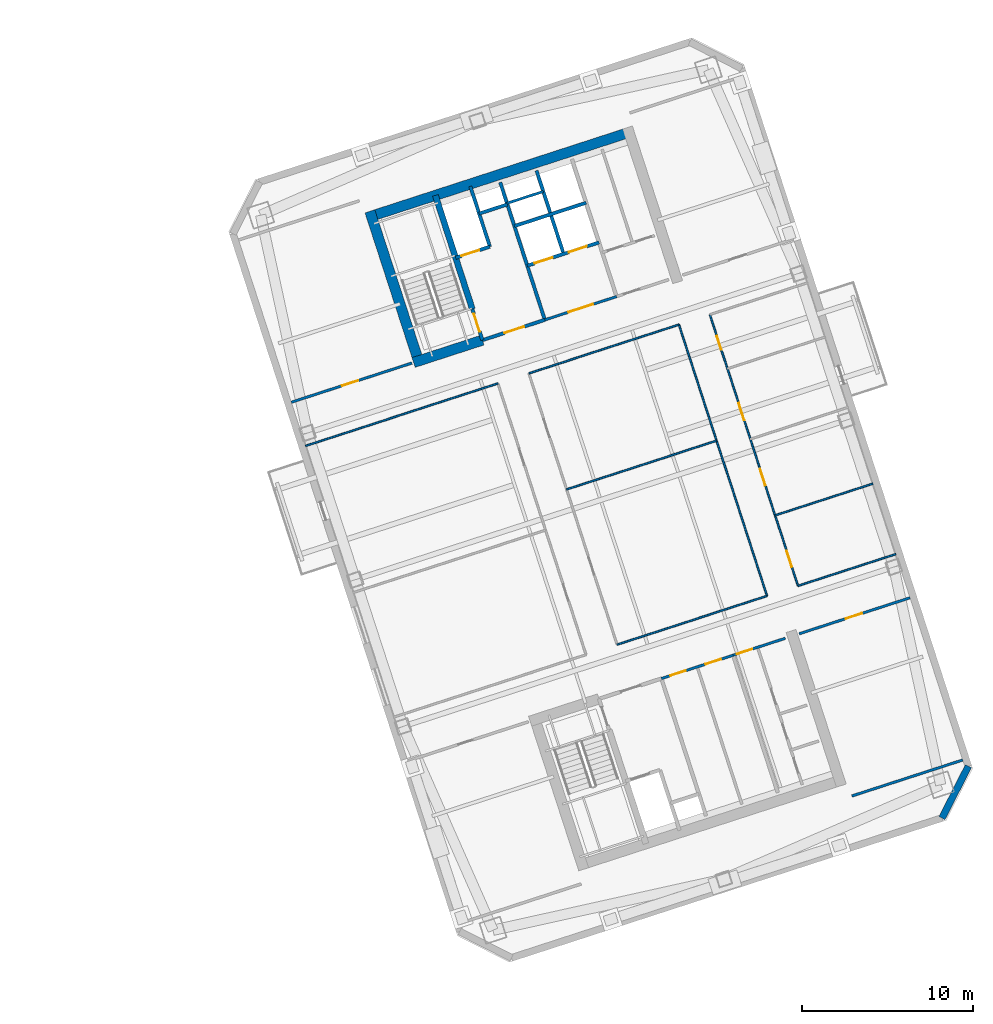
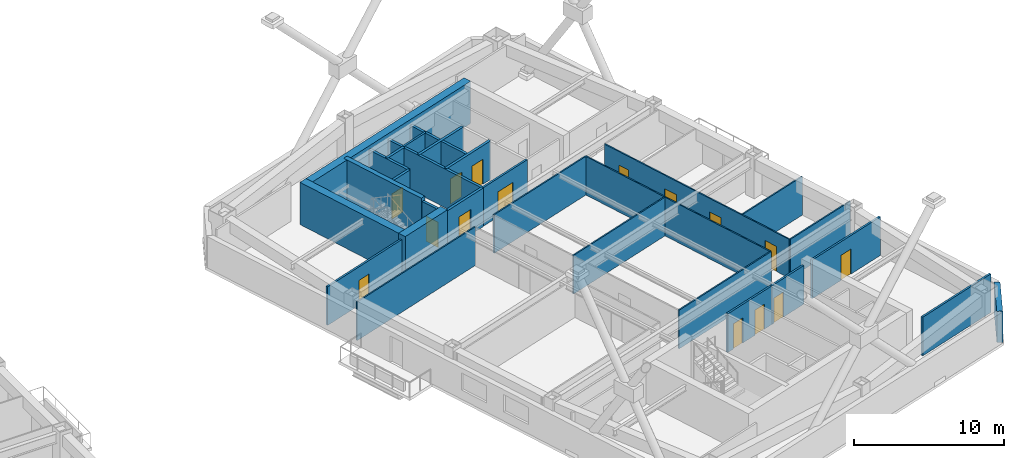
# One storey, part 10 of 17: 29 walls, 15 doors, 15 openings.
"""IFC4 building model written with IfcOpenShell, lengths in metres."""

from ifc_helpers import new_model, si_unit, direction, frame, frame_2d, origin, place, context, subcontext, project, spatial, rectangle, extrude, material, layer, layer_set, type_object, element, fill, save


model = new_model("IFC4")

# Units and contexts
model_context = context("Model", 3, precision=1e-05, world=origin(), true_north=direction((0.0, 1.0)))
body_context = subcontext(model_context, "Body", "Model", "MODEL_VIEW")
ifc_project = project(units=[si_unit("LENGTHUNIT", "METRE"), si_unit("AREAUNIT", "SQUARE_METRE"), si_unit("VOLUMEUNIT", "CUBIC_METRE"), si_unit("PLANEANGLEUNIT", "RADIAN"), si_unit("MASSUNIT", "GRAM", prefix="KILO")], contexts=[model_context])

# Site, building, storey
site_placement = place(None, origin())
site = spatial("IfcSite", under=ifc_project, at=site_placement, CompositionType="ELEMENT")
building_placement = place(site_placement, origin())
building = spatial("IfcBuilding", under=site, at=building_placement, Name="Qiaolan Cultural Towers", CompositionType="ELEMENT")
storey_placement = place(building_placement, frame((0.0, 0.0, 134.550048828125)))
storey = spatial("IfcBuildingStorey", under=building, at=storey_placement, Name="L35", CompositionType="ELEMENT", Elevation=134.550048828125)

# Walls
ifc_material_1 = material(Name="Concrete C50", Category="concrete")
ifc_layer_1 = layer(ifc_material_1, 0.35009765625)
ifc_layer_set_1 = layer_set([ifc_layer_1], Name="Concrete C50")
wall_type_1 = type_object("IfcWallType", Name="WL-CORE-350", PredefinedType="SHEAR", material=ifc_layer_set_1)
wall_1_placement = place(storey_placement, frame((82.513671875, 45.13134765625, 0.0), z_axis=(0.0, 0.0, 1.0), x_axis=(-0.308988790936, 0.951065679686, 0.0)))
element("IfcWall", 1, at=wall_1_placement, inside=storey, type_object=wall_type_1, Name="L35 T2-CN Stair Core Dividing Web", PredefinedType="SHEAR", context=body_context, shape_type="SweptSolid", body=[
    extrude(rectangle(XDim=6.97998046875, YDim=0.35009765625, at=frame_2d((3.489990234375, 0.0))), origin(), (0.0, 0.0, 1.0), 3.449951171875),
])
ifc_material_2 = material(Name="Concrete C55", Category="concrete")
ifc_layer_2 = layer(ifc_material_2, 0.60009765625)
ifc_layer_set_2 = layer_set([ifc_layer_2], Name="Concrete C55")
wall_type_2 = type_object("IfcWallType", Name="WL-CORE-600", PredefinedType="SHEAR", material=ifc_layer_set_2)
wall_2_placement = place(storey_placement, frame((76.343505859375, 50.4658203125, 0.0), z_axis=(0.0, 0.0, 1.0), x_axis=(0.951055727519, 0.309019421968, 0.0)))
element("IfcWall", 2, at=wall_2_placement, inside=storey, type_object=wall_type_2, Name="L35 T2-CN Outer Core Shear Wall", PredefinedType="SHEAR", context=body_context, shape_type="SweptSolid", body=[
    extrude(rectangle(XDim=16.39990234375, YDim=0.60009765625, at=frame_2d((8.199951171875, 0.0))), origin(), (0.0, 0.0, 1.0), 3.449951171875),
])
wall_3_placement = place(storey_placement, frame((79.465576171875, 41.827880859375, 0.0), z_axis=(0.0, 0.0, 1.0), x_axis=(-0.309041232772, 0.951048640421, 0.0)))
element("IfcWall", 3, at=wall_3_placement, inside=storey, type_object=wall_type_2, Name="L35 T2-CN West Core Shear Wall", PredefinedType="SHEAR", context=body_context, shape_type="SweptSolid", body=[
    extrude(rectangle(XDim=9.47998046875, YDim=0.60009765625, at=frame_2d((4.739990234375, 0.0))), origin(), (0.0, 0.0, 1.0), 3.449951171875),
])
wall_4_placement = place(storey_placement, frame((79.08740234375, 42.0205078125, 0.0), z_axis=(0.0, 0.0, 1.0), x_axis=(0.951062550203, 0.3089984233, 0.0)))
element("IfcWall", 4, at=wall_4_placement, inside=storey, type_object=wall_type_2, Name="L35 T2-CN Stair Front Shear Wall", PredefinedType="SHEAR", context=body_context, shape_type="SweptSolid", body=[
    extrude(rectangle(XDim=4.219970703125, YDim=0.60009765625, at=frame_2d((2.10986328125, 0.0))), origin(), (0.0, 0.0, 1.0), 3.449951171875),
])
ifc_material_3 = material(Name="Precast Concrete C50 Honed Stone Pier", Category="masonry")
ifc_layer_3 = layer(ifc_material_3, 0.39990234375)
ifc_layer_set_3 = layer_set([ifc_layer_3], Name="Precast Concrete C50 Honed Stone Pier")
wall_type_3 = type_object("IfcWallType", Name="WL-EXT-PIER-400", PredefinedType="SOLIDWALL", material=ifc_layer_set_3)
wall_5_placement = place(storey_placement, frame((111.449462890625, 18.468017578125, 0.0), z_axis=(0.0, 0.0, 1.0), x_axis=(-0.454019523198, -0.890991735402, 0.0)))
element("IfcWall", 5, at=wall_5_placement, inside=storey, type_object=wall_type_3, Name="L35 East Tower Precast Pier Facade Wall F6", PredefinedType="SOLIDWALL", context=body_context, shape_type="SweptSolid", body=[
    extrude(rectangle(XDim=3.39404296875, YDim=0.39990234375, at=frame_2d((1.697021484375, 0.0))), origin(), (0.0, 0.0, 1.0), 2.550048828125),
])

# Wall, opening, door
ifc_material_4 = material(Name="Concrete C35 Fire Wall", Category="concrete")
ifc_layer_4 = layer(ifc_material_4, 0.199951171875)
ifc_layer_set_4 = layer_set([ifc_layer_4], Name="Concrete C35 Fire Wall")
wall_type_4 = type_object("IfcWallType", Name="WL-FIRE-200", PredefinedType="PARTITIONING", material=ifc_layer_set_4)
wall_6_placement = place(storey_placement, frame((83.100830078125, 43.324462890625, 0.0), z_axis=(0.0, 0.0, 1.0), x_axis=(-0.309048298632, 0.951046344356, 0.0)))
wall_6 = element("IfcWall", 6, at=wall_6_placement, inside=storey, type_object=wall_type_4, Name="L35 T2-CN Smokeproof Stair Entry Wall", PredefinedType="PARTITIONING", context=body_context, shape_type="SweptSolid", body=[
    extrude(rectangle(XDim=1.89990234375, YDim=0.199951171875, at=frame_2d((0.949951171875, 0.0))), origin(), (0.0, 0.0, 1.0), 3.155029296875),
])
opening_1_placement = place(wall_6_placement, frame((0.52001953125, 0.0, 0.0)))
opening_1 = element("IfcOpeningElement", 7, at=opening_1_placement, cuts=wall_6, Name="Opening FD-04", PredefinedType="OPENING", context=body_context, shape_type="SweptSolid", body=[
    extrude(rectangle(XDim=1.10009765625, YDim=2.050048828125, at=frame_2d((0.550048828125, 1.02490234375))), frame((0.0, 0.10986328125, 0.0), z_axis=(0.0, -1.0, 0.0), x_axis=(1.0, 0.0, 0.0)), (0.0, 0.0, 1.0), 0.219970703125),
])
ifc_material_5 = material(Name="Galvanized Steel Command Fire Door", Category="steel")
door_type_1 = type_object("IfcDoorType", Name="DR-FD90-1100", OperationType="NOTDEFINED", PredefinedType="DOOR", material=ifc_material_5)
door_1_placement = place(opening_1_placement, origin())
door_1 = element("IfcDoor", 8, at=door_1_placement, inside=storey, type_object=door_type_1, Name="L35 ST-E2 Smokeproof Stair Fire Door", OperationType="SINGLE_SWING_LEFT", OverallHeight=2.050048828125, OverallWidth=1.10009765625, PredefinedType="DOOR", context=body_context, shape_type="SweptSolid", body=[
    extrude(rectangle(XDim=1.10009765625, YDim=2.050048828125, at=frame_2d((0.550048828125, 1.02490234375))), frame((0.0, 0.02490234375, 0.0), z_axis=(0.0, -1.0, 0.0), x_axis=(1.0, 0.0, 0.0)), (0.0, 0.0, 1.0), 0.050048828125),
])
fill(opening_1, door_1)

# Wall
wall_7_placement = place(storey_placement, frame((86.743408203125, 44.508056640625, 0.0), z_axis=(0.0, 0.0, 1.0), x_axis=(-0.309016001439, 0.951056838919, 0.0)))
element("IfcWall", 9, at=wall_7_placement, inside=storey, type_object=wall_type_4, Name="L35 T2-CN Firefighting Zone Wall", PredefinedType="PARTITIONING", context=body_context, shape_type="SweptSolid", body=[
    extrude(rectangle(XDim=8.429931640625, YDim=0.199951171875, at=frame_2d((4.21484375, 0.0))), origin(), (0.0, 0.0, 1.0), 3.155029296875),
])

# Wall, opening, door
wall_8_placement = place(storey_placement, frame((83.100830078125, 43.324462890625, 0.0), z_axis=(0.0, 0.0, 1.0), x_axis=(0.951052804469, 0.309028417967, 0.0)))
wall_8 = element("IfcWall", 10, at=wall_8_placement, inside=storey, type_object=wall_type_4, Name="L35 T2-CN Firefighting Lobby Front Wall", PredefinedType="PARTITIONING", context=body_context, shape_type="SweptSolid", body=[
    extrude(rectangle(XDim=3.830078125, YDim=0.199951171875, at=frame_2d((1.9150390625, 0.0))), origin(), (0.0, 0.0, 1.0), 3.155029296875),
])
opening_2_placement = place(wall_8_placement, frame((1.35009765625, 0.0, 0.0)))
opening_2 = element("IfcOpeningElement", 11, at=opening_2_placement, cuts=wall_8, Name="Opening FD-03", PredefinedType="OPENING", context=body_context, shape_type="SweptSolid", body=[
    extrude(rectangle(XDim=1.199951171875, YDim=2.050048828125, at=frame_2d((0.60009765625, 1.02490234375))), frame((0.0, 0.10986328125, 0.0), z_axis=(0.0, -1.0, 0.0), x_axis=(1.0, 0.0, 0.0)), (0.0, 0.0, 1.0), 0.219970703125),
])
ifc_material_6 = material(Name="Galvanized Steel Smokeproof Lobby Fire Door", Category="steel")
door_type_2 = type_object("IfcDoorType", Name="DR-FD90-1200", OperationType="NOTDEFINED", PredefinedType="DOOR", material=ifc_material_6)
door_2_placement = place(opening_2_placement, origin())
door_2 = element("IfcDoor", 12, at=door_2_placement, inside=storey, type_object=door_type_2, Name="L35 FFL-E2 Firefighting Lobby Fire Door", OperationType="SINGLE_SWING_LEFT", OverallHeight=2.050048828125, OverallWidth=1.199951171875, PredefinedType="DOOR", context=body_context, shape_type="SweptSolid", body=[
    extrude(rectangle(XDim=1.199951171875, YDim=2.050048828125, at=frame_2d((0.60009765625, 1.02490234375))), frame((0.0, 0.02490234375, 0.0), z_axis=(0.0, -1.0, 0.0), x_axis=(1.0, 0.0, 0.0)), (0.0, 0.0, 1.0), 0.050048828125),
])
fill(opening_2, door_2)

wall_9_placement = place(storey_placement, frame((81.540283203125, 48.127197265625, 0.0), z_axis=(0.0, 0.0, 1.0), x_axis=(0.951062257173, 0.308999325213, 0.0)))
wall_9 = element("IfcWall", 13, at=wall_9_placement, inside=storey, type_object=wall_type_4, Name="L35 T2-CN Firefighting Shaft Front Wall", PredefinedType="PARTITIONING", context=body_context, shape_type="SweptSolid", body=[
    extrude(rectangle(XDim=2.10009765625, YDim=0.199951171875, at=frame_2d((1.050048828125, 0.0))), origin(), (0.0, 0.0, 1.0), 3.155029296875),
])
opening_3_placement = place(wall_9_placement, frame((0.35009765625, 0.0, 0.0)))
opening_3 = element("IfcOpeningElement", 14, at=opening_3_placement, cuts=wall_9, Name="Opening LD-01", PredefinedType="OPENING", context=body_context, shape_type="SweptSolid", body=[
    extrude(rectangle(XDim=1.10009765625, YDim=2.050048828125, at=frame_2d((0.550048828125, 1.02490234375))), frame((0.0, 0.10986328125, 0.0), z_axis=(0.0, -1.0, 0.0), x_axis=(1.0, 0.0, 0.0)), (0.0, 0.0, 1.0), 0.219970703125),
])
ifc_material_7 = material(Name="Brushed Stainless Steel S30408 Centre-Parting Lift Landing Door", Category="steel")
door_type_3 = type_object("IfcDoorType", Name="DR-LIFT-1100", OperationType="NOTDEFINED", PredefinedType="DOOR", material=ifc_material_7)
door_3_placement = place(opening_3_placement, origin())
door_3 = element("IfcDoor", 15, at=door_3_placement, inside=storey, type_object=door_type_3, Name="L35 FFL-E2 Firefighting Lift Landing Door", OperationType="DOUBLE_DOOR_SLIDING", OverallHeight=2.050048828125, OverallWidth=1.10009765625, PredefinedType="DOOR", context=body_context, shape_type="SweptSolid", body=[
    extrude(rectangle(XDim=1.10009765625, YDim=2.050048828125, at=frame_2d((0.550048828125, 1.02490234375))), frame((0.0, 0.02490234375, 0.0), z_axis=(0.0, -1.0, 0.0), x_axis=(1.0, 0.0, 0.0)), (0.0, 0.0, 1.0), 0.050048828125),
])
fill(opening_3, door_3)

# Walls
wall_10_placement = place(storey_placement, frame((83.53759765625, 48.776123046875, 0.0), z_axis=(0.0, 0.0, 1.0), x_axis=(-0.3089935693, 0.951064127245, 0.0)))
element("IfcWall", 16, at=wall_10_placement, inside=storey, type_object=wall_type_4, Name="L35 T2-CN Firefighting Hoistway East Wall", PredefinedType="PARTITIONING", context=body_context, shape_type="SweptSolid", body=[
    extrude(rectangle(XDim=3.7001953125, YDim=0.199951171875, at=frame_2d((1.85009765625, 0.0))), origin(), (0.0, 0.0, 1.0), 3.155029296875),
])
wall_11_placement = place(storey_placement, frame((82.910400390625, 50.706787109375, 0.0), z_axis=(0.0, 0.0, 1.0), x_axis=(0.951041328149, 0.309063734775, 0.0)))
element("IfcWall", 17, at=wall_11_placement, inside=storey, type_object=wall_type_4, Name="L35 T2-CN Pressurization Shaft Front Wall", PredefinedType="PARTITIONING", context=body_context, shape_type="SweptSolid", body=[
    extrude(rectangle(XDim=1.72998046875, YDim=0.199951171875, at=frame_2d((0.864990234375, 0.0))), origin(), (0.0, 0.0, 1.0), 3.155029296875),
])

# Wall, openings, doors
wall_12_placement = place(storey_placement, frame((85.717529296875, 47.66552734375, 0.0), z_axis=(0.0, 0.0, 1.0), x_axis=(0.951058531764, 0.30901079133, 0.0)))
wall_12 = element("IfcWall", 18, at=wall_12_placement, inside=storey, type_object=wall_type_4, Name="L35 T2-CN Passenger Lift Shaft Front Wall", PredefinedType="PARTITIONING", context=body_context, shape_type="SweptSolid", body=[
    extrude(rectangle(XDim=4.39990234375, YDim=0.199951171875, at=frame_2d((2.199951171875, 0.0))), origin(), (0.0, 0.0, 1.0), 3.155029296875),
])
opening_4_placement = place(wall_12_placement, frame((0.449951171875, 0.0, 0.0)))
opening_4 = element("IfcOpeningElement", 19, at=opening_4_placement, cuts=wall_12, Name="Opening LD-01", PredefinedType="OPENING", context=body_context, shape_type="SweptSolid", body=[
    extrude(rectangle(XDim=1.10009765625, YDim=2.050048828125, at=frame_2d((0.550048828125, 1.02490234375))), frame((0.0, 0.10986328125, 0.0), z_axis=(0.0, -1.0, 0.0), x_axis=(1.0, 0.0, 0.0)), (0.0, 0.0, 1.0), 0.219970703125),
])
opening_5_placement = place(wall_12_placement, frame((2.550048828125, 0.0, 0.0)))
opening_5 = element("IfcOpeningElement", 20, at=opening_5_placement, cuts=wall_12, Name="Opening LD-01", PredefinedType="OPENING", context=body_context, shape_type="SweptSolid", body=[
    extrude(rectangle(XDim=1.10009765625, YDim=2.050048828125, at=frame_2d((0.550048828125, 1.02490234375))), frame((0.0, 0.10986328125, 0.0), z_axis=(0.0, -1.0, 0.0), x_axis=(1.0, 0.0, 0.0)), (0.0, 0.0, 1.0), 0.219970703125),
])
door_4_placement = place(opening_4_placement, origin())
door_4 = element("IfcDoor", 21, at=door_4_placement, inside=storey, type_object=door_type_3, Name="L35 Passenger Lift 1 Landing Door", OperationType="DOUBLE_DOOR_SLIDING", OverallHeight=2.050048828125, OverallWidth=1.10009765625, PredefinedType="DOOR", context=body_context, shape_type="SweptSolid", body=[
    extrude(rectangle(XDim=1.10009765625, YDim=2.050048828125, at=frame_2d((0.550048828125, 1.02490234375))), frame((0.0, 0.02490234375, 0.0), z_axis=(0.0, -1.0, 0.0), x_axis=(1.0, 0.0, 0.0)), (0.0, 0.0, 1.0), 0.050048828125),
])
fill(opening_4, door_4)
door_5_placement = place(opening_5_placement, origin())
door_5 = element("IfcDoor", 22, at=door_5_placement, inside=storey, type_object=door_type_3, Name="L35 Passenger Lift 2 Landing Door", OperationType="DOUBLE_DOOR_SLIDING", OverallHeight=2.050048828125, OverallWidth=1.10009765625, PredefinedType="DOOR", context=body_context, shape_type="SweptSolid", body=[
    extrude(rectangle(XDim=1.10009765625, YDim=2.050048828125, at=frame_2d((0.550048828125, 1.02490234375))), frame((0.0, 0.02490234375, 0.0), z_axis=(0.0, -1.0, 0.0), x_axis=(1.0, 0.0, 0.0)), (0.0, 0.0, 1.0), 0.050048828125),
])
fill(opening_5, door_5)

# Walls
wall_13_placement = place(storey_placement, frame((87.83837890625, 48.3544921875, 0.0), z_axis=(0.0, 0.0, 1.0), x_axis=(-0.3090093719, 0.951058992953, 0.0)))
element("IfcWall", 23, at=wall_13_placement, inside=storey, type_object=wall_type_4, Name="L35 T2-CN Lift Shaft Divider Wall", PredefinedType="PARTITIONING", context=body_context, shape_type="SweptSolid", body=[
    extrude(rectangle(XDim=5.110107421875, YDim=0.199951171875, at=frame_2d((2.55517578125, 0.0))), origin(), (0.0, 0.0, 1.0), 3.155029296875),
])
wall_14_placement = place(storey_placement, frame((84.966552734375, 49.9765625, 0.0), z_axis=(0.0, 0.0, 1.0), x_axis=(0.951063829732, 0.308994485023, 0.0)))
element("IfcWall", 24, at=wall_14_placement, inside=storey, type_object=wall_type_4, Name="L35 T2-CN Passenger Lift Shaft Back Wall", PredefinedType="PARTITIONING", context=body_context, shape_type="SweptSolid", body=[
    extrude(rectangle(XDim=4.400146484375, YDim=0.199951171875, at=frame_2d((2.2001953125, 0.0))), origin(), (0.0, 0.0, 1.0), 3.155029296875),
])
ifc_material_8 = material(Name="Acoustic Double-Glazed Partition Frame", Category="glass")
ifc_layer_5 = layer(ifc_material_8, 0.10009765625)
ifc_layer_set_5 = layer_set([ifc_layer_5], Name="Acoustic Double-Glazed Partition Frame")
wall_type_5 = type_object("IfcWallType", Name="WL-GLAZED-100", PredefinedType="MOVABLE", material=ifc_layer_set_5)
wall_15_placement = place(storey_placement, frame((90.954345703125, 25.561767578125, 0.0), z_axis=(0.0, 0.0, 1.0), x_axis=(0.951052398814, 0.309029666393, 0.0)))
element("IfcWall", 25, at=wall_15_placement, inside=storey, type_object=wall_type_5, Name="L35 T2 Interior Wall", PredefinedType="MOVABLE", context=body_context, shape_type="SweptSolid", body=[
    extrude(rectangle(XDim=9.19970703125, YDim=0.10009765625, at=frame_2d((4.599853515625, 0.0))), origin(), (0.0, 0.0, 1.0), 3.155029296875),
])
wall_16_placement = place(storey_placement, frame((101.510986328125, 28.991943359375, 0.0), z_axis=(0.0, 0.0, 1.0), x_axis=(0.951048719763, 0.309040988602, 0.0)))
element("IfcWall", 26, at=wall_16_placement, inside=storey, type_object=wall_type_5, Name="L35 T2 Interior Wall", PredefinedType="MOVABLE", context=body_context, shape_type="SweptSolid", body=[
    extrude(rectangle(XDim=6.0, YDim=0.10009765625, at=frame_2d((3.0, 0.0))), origin(), (0.0, 0.0, 1.0), 3.155029296875),
])
wall_17_placement = place(storey_placement, frame((72.78271484375, 37.15380859375, 0.0), z_axis=(0.0, 0.0, 1.0), x_axis=(0.951053984761, 0.309024785528, 0.0)))
element("IfcWall", 27, at=wall_17_placement, inside=storey, type_object=wall_type_5, Name="L35 T2 Interior Wall", PredefinedType="MOVABLE", context=body_context, shape_type="SweptSolid", body=[
    extrude(rectangle(XDim=11.800048828125, YDim=0.10009765625, at=frame_2d((5.89990234375, 0.0))), origin(), (0.0, 0.0, 1.0), 3.155029296875),
])
wall_18_placement = place(storey_placement, frame((85.812255859375, 41.387451171875, 0.0), z_axis=(0.0, 0.0, 1.0), x_axis=(0.951054933035, 0.309021867106, 0.0)))
element("IfcWall", 28, at=wall_18_placement, inside=storey, type_object=wall_type_5, Name="L35 T2 Interior Wall", PredefinedType="MOVABLE", context=body_context, shape_type="SweptSolid", body=[
    extrude(rectangle(XDim=9.199951171875, YDim=0.10009765625, at=frame_2d((4.60009765625, 0.0))), origin(), (0.0, 0.0, 1.0), 3.155029296875),
])
wall_19_placement = place(storey_placement, frame((99.703857421875, 28.40478515625, 0.0), z_axis=(0.0, 0.0, 1.0), x_axis=(-0.309004459387, 0.951060589068, 0.0)))
element("IfcWall", 29, at=wall_19_placement, inside=storey, type_object=wall_type_5, Name="L35 T2 Interior Wall", PredefinedType="MOVABLE", context=body_context, shape_type="SweptSolid", body=[
    extrude(rectangle(XDim=16.64013671875, YDim=0.10009765625, at=frame_2d((8.320068359375, 0.0))), origin(), (0.0, 0.0, 1.0), 3.155029296875),
])

# Wall, openings, doors
wall_20_placement = place(storey_placement, frame((101.510986328125, 28.991943359375, 0.0), z_axis=(0.0, 0.0, 1.0), x_axis=(-0.30901773025, 0.951056277195, 0.0)))
wall_20 = element("IfcWall", 30, at=wall_20_placement, inside=storey, type_object=wall_type_5, Name="L35 T2 Interior Wall", PredefinedType="MOVABLE", context=body_context, shape_type="SweptSolid", body=[
    extrude(rectangle(XDim=16.64013671875, YDim=0.10009765625, at=frame_2d((8.320068359375, 0.0))), origin(), (0.0, 0.0, 1.0), 3.155029296875),
])
opening_6_placement = place(wall_20_placement, frame((1.159912109375, 0.0, 0.0)))
opening_6 = element("IfcOpeningElement", 31, at=opening_6_placement, cuts=wall_20, Name="Opening ID-04", PredefinedType="OPENING", context=body_context, shape_type="SweptSolid", body=[
    extrude(rectangle(XDim=1.0, YDim=2.050048828125, at=frame_2d((0.5, 1.02490234375))), frame((0.0, 0.06005859375, 0.0), z_axis=(0.0, -1.0, 0.0), x_axis=(1.0, 0.0, 0.0)), (0.0, 0.0, 1.0), 0.1201171875),
])
opening_7_placement = place(wall_20_placement, frame((6.159912109375, 0.0, 0.0)))
opening_7 = element("IfcOpeningElement", 32, at=opening_7_placement, cuts=wall_20, Name="Opening ID-04", PredefinedType="OPENING", context=body_context, shape_type="SweptSolid", body=[
    extrude(rectangle(XDim=1.0, YDim=2.050048828125, at=frame_2d((0.5, 1.02490234375))), frame((0.0, 0.06005859375, 0.0), z_axis=(0.0, -1.0, 0.0), x_axis=(1.0, 0.0, 0.0)), (0.0, 0.0, 1.0), 0.1201171875),
])
opening_8_placement = place(wall_20_placement, frame((10.159912109375, 0.0, 0.0)))
opening_8 = element("IfcOpeningElement", 33, at=opening_8_placement, cuts=wall_20, Name="Opening ID-07", PredefinedType="OPENING", context=body_context, shape_type="SweptSolid", body=[
    extrude(rectangle(XDim=1.050048828125, YDim=2.050048828125, at=frame_2d((0.52490234375, 1.02490234375))), frame((0.0, 0.06005859375, 0.0), z_axis=(0.0, -1.0, 0.0), x_axis=(1.0, 0.0, 0.0)), (0.0, 0.0, 1.0), 0.1201171875),
])
opening_9_placement = place(wall_20_placement, frame((14.47998046875, 0.0, 0.0)))
opening_9 = element("IfcOpeningElement", 34, at=opening_9_placement, cuts=wall_20, Name="Opening ID-09", PredefinedType="OPENING", context=body_context, shape_type="SweptSolid", body=[
    extrude(rectangle(XDim=0.85009765625, YDim=2.050048828125, at=frame_2d((0.425048828125, 1.02490234375))), frame((0.0, 0.06005859375, 0.0), z_axis=(0.0, -1.0, 0.0), x_axis=(1.0, 0.0, 0.0)), (0.0, 0.0, 1.0), 0.1201171875),
])
ifc_material_9 = material(Name="Oak Veneer Acoustic Office Door", Category="timber")
door_type_4 = type_object("IfcDoorType", Name="DR-INT-1000", OperationType="NOTDEFINED", PredefinedType="DOOR", material=ifc_material_9)
door_6_placement = place(opening_6_placement, origin())
door_6 = element("IfcDoor", 35, at=door_6_placement, inside=storey, type_object=door_type_4, Name="L35 T2 Staff Dining Kitchen Door", OperationType="SINGLE_SWING_RIGHT", OverallHeight=2.050048828125, OverallWidth=1.0, PredefinedType="DOOR", context=body_context, shape_type="SweptSolid", body=[
    extrude(rectangle(XDim=1.0, YDim=2.050048828125, at=frame_2d((0.5, 1.02490234375))), frame((0.0, 0.02490234375, 0.0), z_axis=(0.0, -1.0, 0.0), x_axis=(1.0, 0.0, 0.0)), (0.0, 0.0, 1.0), 0.050048828125),
])
fill(opening_6, door_6)
door_7_placement = place(opening_7_placement, origin())
door_7 = element("IfcDoor", 36, at=door_7_placement, inside=storey, type_object=door_type_4, Name="L35 T2 Staff Dining Kitchen Door", OperationType="SINGLE_SWING_RIGHT", OverallHeight=2.050048828125, OverallWidth=1.0, PredefinedType="DOOR", context=body_context, shape_type="SweptSolid", body=[
    extrude(rectangle(XDim=1.0, YDim=2.050048828125, at=frame_2d((0.5, 1.02490234375))), frame((0.0, 0.02490234375, 0.0), z_axis=(0.0, -1.0, 0.0), x_axis=(1.0, 0.0, 0.0)), (0.0, 0.0, 1.0), 0.050048828125),
])
fill(opening_7, door_7)
ifc_material_10 = material(Name="Oak Veneer Consultation Door", Category="timber")
door_type_5 = type_object("IfcDoorType", Name="DR-INT-1050", OperationType="NOTDEFINED", PredefinedType="DOOR", material=ifc_material_10)
door_8_placement = place(opening_8_placement, origin())
door_8 = element("IfcDoor", 37, at=door_8_placement, inside=storey, type_object=door_type_5, Name="L35 T2 Recreation Lounge Door", OperationType="SINGLE_SWING_LEFT", OverallHeight=2.050048828125, OverallWidth=1.050048828125, PredefinedType="DOOR", context=body_context, shape_type="SweptSolid", body=[
    extrude(rectangle(XDim=1.050048828125, YDim=2.050048828125, at=frame_2d((0.52490234375, 1.02490234375))), frame((0.0, 0.02490234375, 0.0), z_axis=(0.0, -1.0, 0.0), x_axis=(1.0, 0.0, 0.0)), (0.0, 0.0, 1.0), 0.050048828125),
])
fill(opening_8, door_8)
ifc_material_11 = material(Name="Moisture-Resistant Laminate Utility Door", Category="timber")
door_type_6 = type_object("IfcDoorType", Name="DR-INT-850", OperationType="NOTDEFINED", PredefinedType="DOOR", material=ifc_material_11)
door_9_placement = place(opening_9_placement, origin())
door_9 = element("IfcDoor", 38, at=door_9_placement, inside=storey, type_object=door_type_6, Name="L35 T2 Staff Dining Kitchen Door", OperationType="SINGLE_SWING_LEFT", OverallHeight=2.050048828125, OverallWidth=0.85009765625, PredefinedType="DOOR", context=body_context, shape_type="SweptSolid", body=[
    extrude(rectangle(XDim=0.85009765625, YDim=2.050048828125, at=frame_2d((0.425048828125, 1.02490234375))), frame((0.0, 0.02490234375, 0.0), z_axis=(0.0, -1.0, 0.0), x_axis=(1.0, 0.0, 0.0)), (0.0, 0.0, 1.0), 0.050048828125),
])
fill(opening_9, door_9)

# Walls
wall_21_placement = place(storey_placement, frame((88.012451171875, 34.615966796875, 0.0), z_axis=(0.0, 0.0, 1.0), x_axis=(0.951054933035, 0.309021867106, 0.0)))
element("IfcWall", 39, at=wall_21_placement, inside=storey, type_object=wall_type_5, Name="L35 T2 Interior Wall", PredefinedType="MOVABLE", context=body_context, shape_type="SweptSolid", body=[
    extrude(rectangle(XDim=9.199951171875, YDim=0.10009765625, at=frame_2d((4.60009765625, 0.0))), origin(), (0.0, 0.0, 1.0), 3.155029296875),
])
wall_22_placement = place(storey_placement, frame((100.176025390625, 33.1005859375, 0.0), z_axis=(0.0, 0.0, 1.0), x_axis=(0.95106067854, 0.309004184009, 0.0)))
element("IfcWall", 40, at=wall_22_placement, inside=storey, type_object=wall_type_5, Name="L35 T2 Interior Wall", PredefinedType="MOVABLE", context=body_context, shape_type="SweptSolid", body=[
    extrude(rectangle(XDim=6.0, YDim=0.10009765625, at=frame_2d((3.0, 0.0))), origin(), (0.0, 0.0, 1.0), 3.155029296875),
])

# Wall, openings, doors
ifc_material_12 = material(Name="Autoclaved Aerated Concrete Block B06", Category="concrete")
ifc_layer_6 = layer(ifc_material_12, 0.14990234375)
ifc_layer_set_6 = layer_set([ifc_layer_6], Name="Autoclaved Aerated Concrete Block B06")
wall_type_6 = type_object("IfcWallType", Name="WL-PART-150", PredefinedType="PARTITIONING", material=ifc_layer_set_6)
wall_23_placement = place(storey_placement, frame((93.541748046875, 23.584716796875, 0.0), z_axis=(0.0, 0.0, 1.0), x_axis=(0.951063829732, 0.308994485023, 0.0)))
wall_23 = element("IfcWall", 41, at=wall_23_placement, inside=storey, type_object=wall_type_6, Name="L35 T2-CS Reclaimed Core Room Front Wall", PredefinedType="PARTITIONING", context=body_context, shape_type="SweptSolid", body=[
    extrude(rectangle(XDim=4.400146484375, YDim=0.14990234375, at=frame_2d((2.2001953125, 0.0))), origin(), (0.0, 0.0, 1.0), 3.155029296875),
])
opening_10_placement = place(wall_23_placement, frame((0.550048828125, 0.0, 0.0)))
opening_10 = element("IfcOpeningElement", 42, at=opening_10_placement, cuts=wall_23, Name="Opening ID-05", PredefinedType="OPENING", context=body_context, shape_type="SweptSolid", body=[
    extrude(rectangle(XDim=0.949951171875, YDim=2.050048828125, at=frame_2d((0.47509765625, 1.02490234375))), frame((0.0, 0.0849609375, 0.0), z_axis=(0.0, -1.0, 0.0), x_axis=(1.0, 0.0, 0.0)), (0.0, 0.0, 1.0), 0.169921875),
])
opening_11_placement = place(wall_23_placement, frame((2.699951171875, 0.0, 0.0)))
opening_11 = element("IfcOpeningElement", 43, at=opening_11_placement, cuts=wall_23, Name="Opening ID-05", PredefinedType="OPENING", context=body_context, shape_type="SweptSolid", body=[
    extrude(rectangle(XDim=0.949951171875, YDim=2.050048828125, at=frame_2d((0.47509765625, 1.02490234375))), frame((0.0, 0.0849609375, 0.0), z_axis=(0.0, -1.0, 0.0), x_axis=(1.0, 0.0, 0.0)), (0.0, 0.0, 1.0), 0.169921875),
])
ifc_material_13 = material(Name="Fire-Rated Laminate Accessible Core Door", Category="timber")
door_type_7 = type_object("IfcDoorType", Name="DR-INT-950", OperationType="NOTDEFINED", PredefinedType="DOOR", material=ifc_material_13)
door_10_placement = place(opening_10_placement, origin())
door_10 = element("IfcDoor", 44, at=door_10_placement, inside=storey, type_object=door_type_7, Name="L35 Copy Print Room Door", OperationType="SINGLE_SWING_LEFT", OverallHeight=2.050048828125, OverallWidth=0.949951171875, PredefinedType="DOOR", context=body_context, shape_type="SweptSolid", body=[
    extrude(rectangle(XDim=0.949951171875, YDim=2.050048828125, at=frame_2d((0.47509765625, 1.02490234375))), frame((0.0, 0.02490234375, 0.0), z_axis=(0.0, -1.0, 0.0), x_axis=(1.0, 0.0, 0.0)), (0.0, 0.0, 1.0), 0.050048828125),
])
fill(opening_10, door_10)
door_11_placement = place(opening_11_placement, origin())
door_11 = element("IfcDoor", 45, at=door_11_placement, inside=storey, type_object=door_type_7, Name="L35 Tea Pantry Room Door", OperationType="SINGLE_SWING_RIGHT", OverallHeight=2.050048828125, OverallWidth=0.949951171875, PredefinedType="DOOR", context=body_context, shape_type="SweptSolid", body=[
    extrude(rectangle(XDim=0.949951171875, YDim=2.050048828125, at=frame_2d((0.47509765625, 1.02490234375))), frame((0.0, 0.02490234375, 0.0), z_axis=(0.0, -1.0, 0.0), x_axis=(1.0, 0.0, 0.0)), (0.0, 0.0, 1.0), 0.050048828125),
])
fill(opening_11, door_11)

# Wall, opening, door
wall_24_placement = place(storey_placement, frame((97.7265625, 24.9443359375, 0.0), z_axis=(0.0, 0.0, 1.0), x_axis=(0.951036872128, 0.309077446369, 0.0)))
wall_24 = element("IfcWall", 46, at=wall_24_placement, inside=storey, type_object=wall_type_6, Name="L35 T2-CS Sanitary Core Front Wall", PredefinedType="PARTITIONING", context=body_context, shape_type="SweptSolid", body=[
    extrude(rectangle(XDim=3.199951171875, YDim=0.14990234375, at=frame_2d((1.60009765625, 0.0))), origin(), (0.0, 0.0, 1.0), 3.155029296875),
])
opening_12_placement = place(wall_24_placement, frame((0.219970703125, 0.0, 0.0)))
opening_12 = element("IfcOpeningElement", 47, at=opening_12_placement, cuts=wall_24, Name="Opening ID-05", PredefinedType="OPENING", context=body_context, shape_type="SweptSolid", body=[
    extrude(rectangle(XDim=0.949951171875, YDim=2.050048828125, at=frame_2d((0.47509765625, 1.02490234375))), frame((0.0, 0.0849609375, 0.0), z_axis=(0.0, -1.0, 0.0), x_axis=(1.0, 0.0, 0.0)), (0.0, 0.0, 1.0), 0.169921875),
])
door_12_placement = place(opening_12_placement, origin())
door_12 = element("IfcDoor", 48, at=door_12_placement, inside=storey, type_object=door_type_7, Name="L35 Sanitary Vestibule Door", OperationType="SINGLE_SWING_LEFT", OverallHeight=2.050048828125, OverallWidth=0.949951171875, PredefinedType="DOOR", context=body_context, shape_type="SweptSolid", body=[
    extrude(rectangle(XDim=0.949951171875, YDim=2.050048828125, at=frame_2d((0.47509765625, 1.02490234375))), frame((0.0, 0.02490234375, 0.0), z_axis=(0.0, -1.0, 0.0), x_axis=(1.0, 0.0, 0.0)), (0.0, 0.0, 1.0), 0.050048828125),
])
fill(opening_12, door_12)

wall_25_placement = place(storey_placement, frame((86.743408203125, 44.508056640625, 0.0), z_axis=(0.0, 0.0, 1.0), x_axis=(0.951063829732, 0.308994485023, 0.0)))
wall_25 = element("IfcWall", 49, at=wall_25_placement, inside=storey, type_object=wall_type_6, Name="L35 T2-CN Passenger Lift Lobby Front Wall", PredefinedType="PARTITIONING", context=body_context, shape_type="SweptSolid", body=[
    extrude(rectangle(XDim=4.400146484375, YDim=0.14990234375, at=frame_2d((2.2001953125, 0.0))), origin(), (0.0, 0.0, 1.0), 3.155029296875),
])
opening_13_placement = place(wall_25_placement, frame((1.449951171875, 0.0, 0.0)))
opening_13 = element("IfcOpeningElement", 50, at=opening_13_placement, cuts=wall_25, Name="Opening FD-05", PredefinedType="OPENING", context=body_context, shape_type="SweptSolid", body=[
    extrude(rectangle(XDim=1.5, YDim=2.050048828125, at=frame_2d((0.75, 1.02490234375))), frame((0.0, 0.0849609375, 0.0), z_axis=(0.0, -1.0, 0.0), x_axis=(1.0, 0.0, 0.0)), (0.0, 0.0, 1.0), 0.169921875),
])
ifc_material_14 = material(Name="Painted Steel Lift Lobby Fire Door", Category="steel")
door_type_8 = type_object("IfcDoorType", Name="DR-FD60-1500", OperationType="NOTDEFINED", PredefinedType="DOOR", material=ifc_material_14)
door_13_placement = place(opening_13_placement, origin())
door_13 = element("IfcDoor", 51, at=door_13_placement, inside=storey, type_object=door_type_8, Name="L35 Passenger Lift Lobby Entrance", OperationType="SINGLE_SWING_LEFT", OverallHeight=2.050048828125, OverallWidth=1.5, PredefinedType="DOOR", context=body_context, shape_type="SweptSolid", body=[
    extrude(rectangle(XDim=1.5, YDim=2.050048828125, at=frame_2d((0.75, 1.02490234375))), frame((0.0, 0.02490234375, 0.0), z_axis=(0.0, -1.0, 0.0), x_axis=(1.0, 0.0, 0.0)), (0.0, 0.0, 1.0), 0.050048828125),
])
fill(opening_13, door_13)

# Walls
wall_26_placement = place(storey_placement, frame((84.533935546875, 51.30810546875, 0.0), z_axis=(0.0, 0.0, 1.0), x_axis=(0.951075093106, 0.308959814982, 0.0)))
element("IfcWall", 52, at=wall_26_placement, inside=storey, type_object=wall_type_6, Name="L35 T2-CN Core Rear Riser Split", PredefinedType="PARTITIONING", context=body_context, shape_type="SweptSolid", body=[
    extrude(rectangle(XDim=2.22998046875, YDim=0.14990234375, at=frame_2d((1.114990234375, 0.0))), origin(), (0.0, 0.0, 1.0), 3.155029296875),
])
wall_27_placement = place(storey_placement, frame((104.653076171875, 16.73291015625, 0.0), z_axis=(0.0, 0.0, 1.0), x_axis=(0.951054383043, 0.309023559774, 0.0)))
element("IfcWall", 53, at=wall_27_placement, inside=storey, type_object=wall_type_6, Name="L35 T2 Flank Wall FLK-SE", PredefinedType="PARTITIONING", context=body_context, shape_type="SweptSolid", body=[
    extrude(rectangle(XDim=6.7998046875, YDim=0.14990234375, at=frame_2d((3.39990234375, 0.0))), origin(), (0.0, 0.0, 1.0), 3.155029296875),
])

# Wall, opening, door
wall_28_placement = place(storey_placement, frame((101.578369140625, 26.196044921875, 0.0), z_axis=(0.0, 0.0, 1.0), x_axis=(0.951064934653, 0.308991084134, 0.0)))
wall_28 = element("IfcWall", 54, at=wall_28_placement, inside=storey, type_object=wall_type_6, Name="L35 T2 Flank Front FLK-SE", PredefinedType="PARTITIONING", context=body_context, shape_type="SweptSolid", body=[
    extrude(rectangle(XDim=6.7998046875, YDim=0.14990234375, at=frame_2d((3.39990234375, 0.0))), origin(), (0.0, 0.0, 1.0), 3.155029296875),
])
opening_14_placement = place(wall_28_placement, frame((2.85595703125, 0.0, 0.0)))
opening_14 = element("IfcOpeningElement", 55, at=opening_14_placement, cuts=wall_28, Name="Opening ID-04", PredefinedType="OPENING", context=body_context, shape_type="SweptSolid", body=[
    extrude(rectangle(XDim=1.0, YDim=2.050048828125, at=frame_2d((0.5, 1.02490234375))), frame((0.0, 0.0849609375, 0.0), z_axis=(0.0, -1.0, 0.0), x_axis=(1.0, 0.0, 0.0)), (0.0, 0.0, 1.0), 0.169921875),
])
door_14_placement = place(opening_14_placement, origin())
door_14 = element("IfcDoor", 56, at=door_14_placement, inside=storey, type_object=door_type_4, Name="L35 T2 Corner Studio Door", OperationType="SINGLE_SWING_LEFT", OverallHeight=2.050048828125, OverallWidth=1.0, PredefinedType="DOOR", context=body_context, shape_type="SweptSolid", body=[
    extrude(rectangle(XDim=1.0, YDim=2.050048828125, at=frame_2d((0.5, 1.02490234375))), frame((0.0, 0.02490234375, 0.0), z_axis=(0.0, -1.0, 0.0), x_axis=(1.0, 0.0, 0.0)), (0.0, 0.0, 1.0), 0.050048828125),
])
fill(opening_14, door_14)

wall_29_placement = place(storey_placement, frame((71.95458984375, 39.702880859375, 0.0), z_axis=(0.0, 0.0, 1.0), x_axis=(0.951060977215, 0.309003264738, 0.0)))
wall_29 = element("IfcWall", 57, at=wall_29_placement, inside=storey, type_object=wall_type_6, Name="L35 T2 Flank Front FLK-NW", PredefinedType="PARTITIONING", context=body_context, shape_type="SweptSolid", body=[
    extrude(rectangle(XDim=7.39990234375, YDim=0.14990234375, at=frame_2d((3.699951171875, 0.0))), origin(), (0.0, 0.0, 1.0), 3.155029296875),
])
opening_15_placement = place(wall_29_placement, frame((3.10791015625, 0.0, 0.0)))
opening_15 = element("IfcOpeningElement", 58, at=opening_15_placement, cuts=wall_29, Name="Opening ID-04", PredefinedType="OPENING", context=body_context, shape_type="SweptSolid", body=[
    extrude(rectangle(XDim=1.0, YDim=2.050048828125, at=frame_2d((0.5, 1.02490234375))), frame((0.0, 0.0849609375, 0.0), z_axis=(0.0, -1.0, 0.0), x_axis=(1.0, 0.0, 0.0)), (0.0, 0.0, 1.0), 0.169921875),
])
door_15_placement = place(opening_15_placement, origin())
door_15 = element("IfcDoor", 59, at=door_15_placement, inside=storey, type_object=door_type_4, Name="L35 T2 Corner Studio Door", OperationType="SINGLE_SWING_LEFT", OverallHeight=2.050048828125, OverallWidth=1.0, PredefinedType="DOOR", context=body_context, shape_type="SweptSolid", body=[
    extrude(rectangle(XDim=1.0, YDim=2.050048828125, at=frame_2d((0.5, 1.02490234375))), frame((0.0, 0.02490234375, 0.0), z_axis=(0.0, -1.0, 0.0), x_axis=(1.0, 0.0, 0.0)), (0.0, 0.0, 1.0), 0.050048828125),
])
fill(opening_15, door_15)

save(model, "model.ifc")
